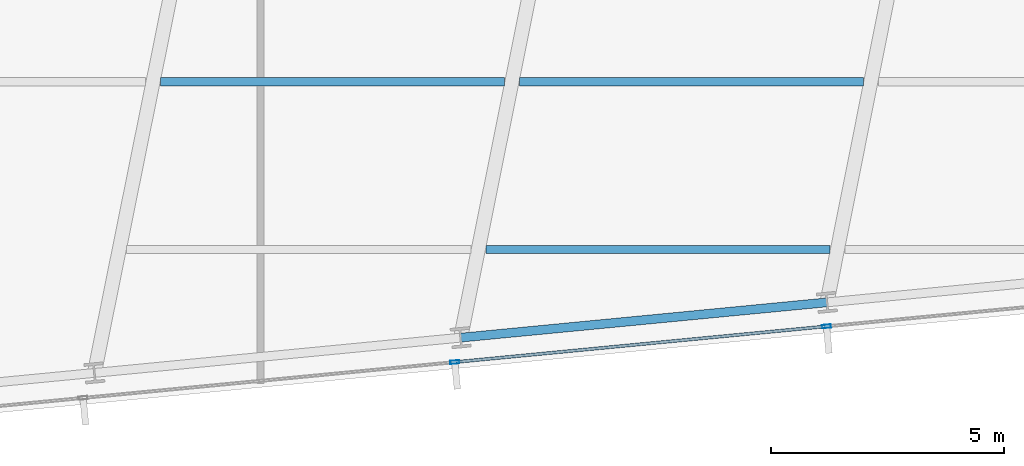
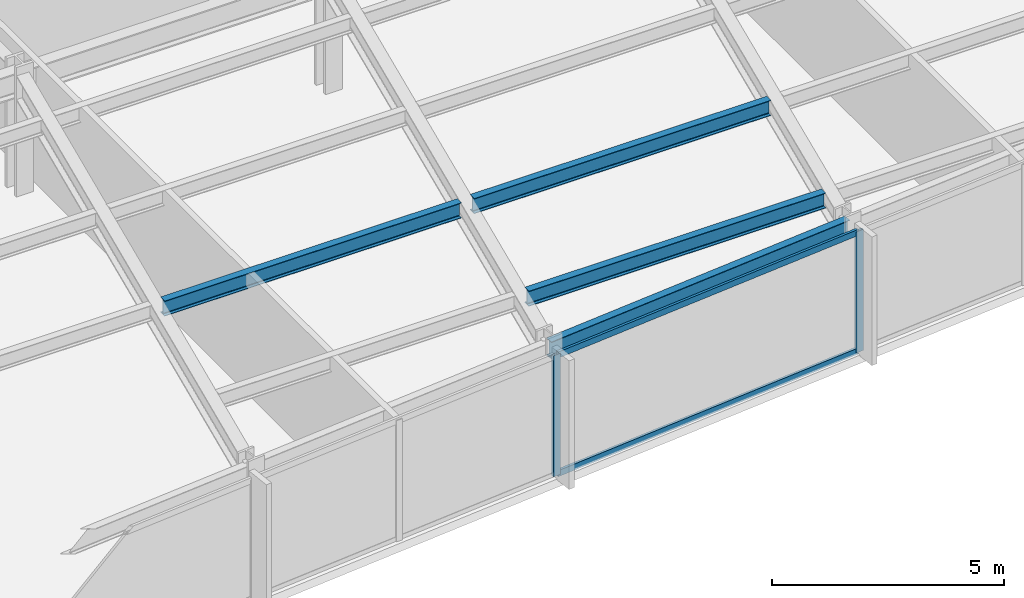
# One storey, part 4 of 32: 4 beams, 4 members, 1 element without a shape of its own.
"""IFC4 building model written with IfcOpenShell, lengths in metres."""

from ifc_helpers import new_model, si_unit, direction, frame, origin, origin_2d, place, context, subcontext, project, spatial, hollow_rectangle, i_section, extrude, material, material_profile, profile_set, type_object, element, aggregate, save


model = new_model("IFC4")

# Units and contexts
model_context = context("Model", 3, precision=1e-05, world=origin(), true_north=direction((0.0, 1.0)))
body_context = subcontext(model_context, "Body", "Model", "MODEL_VIEW")
ifc_project = project(units=[si_unit("LENGTHUNIT", "METRE"), si_unit("AREAUNIT", "SQUARE_METRE"), si_unit("VOLUMEUNIT", "CUBIC_METRE"), si_unit("PLANEANGLEUNIT", "RADIAN"), si_unit("MASSUNIT", "GRAM", prefix="KILO")], contexts=[model_context])

# Site, building, storey
site_placement = place(None, origin())
site = spatial("IfcSite", under=ifc_project, at=site_placement, CompositionType="ELEMENT")
building_placement = place(site_placement, origin())
building = spatial("IfcBuilding", under=site, at=building_placement, Name="Yelkora Congress Tower", CompositionType="ELEMENT")
storey_placement = place(building_placement, frame((0.0, 0.0, 120.300048828125)))
storey = spatial("IfcBuildingStorey", under=building, at=storey_placement, Name="L32", CompositionType="ELEMENT", Elevation=120.300048828125)

# Beams
ifc_material_1 = material(Name="Steel S355J2", Category="steel")
ifc_material_profile_1 = material_profile(ifc_material_1, i_section(OverallWidth=0.179931640625, OverallDepth=0.39990234375, WebThickness=0.008544921875, FlangeThickness=0.013427734375, FilletRadius=0.02099609375, at=origin_2d()), Name="IPE 400")
ifc_profile_set_1 = profile_set([ifc_material_profile_1], Name="Steel S355J2")
beam_type_1 = type_object("IfcBeamType", Name="BM-JOIST-IPE400", PredefinedType="JOIST", material=ifc_profile_set_1)
beam_1_placement = place(storey_placement, frame((36.023193359375, 12.54443359375, 2.97998046875), z_axis=(1.0, 0.0, 0.0), x_axis=(0.0, 1.0, 0.0)))
element("IfcBeam", 1, at=beam_1_placement, inside=storey, type_object=beam_type_1, Name="L32 Composite Floor Joist 2", PredefinedType="JOIST", context=body_context, shape_type="SweptSolid", body=[
    extrude(i_section(OverallWidth=0.179931640625, OverallDepth=0.39990234375, WebThickness=0.008544921875, FlangeThickness=0.013427734375, FilletRadius=0.02099609375, at=origin_2d()), origin(), (0.0, 0.0, 1.0), 7.37646484375),
])
beam_2_placement = place(storey_placement, frame((29.05419921875, 16.144287109375, 2.97998046875), z_axis=(1.0, 0.0, 0.0), x_axis=(0.0, 1.0, 0.0)))
element("IfcBeam", 2, at=beam_2_placement, inside=storey, type_object=beam_type_1, Name="L32 Composite Floor Joist 5", PredefinedType="JOIST", context=body_context, shape_type="SweptSolid", body=[
    extrude(i_section(OverallWidth=0.179931640625, OverallDepth=0.39990234375, WebThickness=0.008544921875, FlangeThickness=0.013427734375, FilletRadius=0.02099609375, at=origin_2d()), origin(), (0.0, 0.0, 1.0), 7.37060546875),
])
beam_3_placement = place(storey_placement, frame((36.744873046875, 16.144287109375, 2.97998046875), z_axis=(1.0, 0.0, 0.0), x_axis=(0.0, 1.0, 0.0)))
element("IfcBeam", 3, at=beam_3_placement, inside=storey, type_object=beam_type_1, Name="L32 Composite Floor Joist 6", PredefinedType="JOIST", context=body_context, shape_type="SweptSolid", body=[
    extrude(i_section(OverallWidth=0.179931640625, OverallDepth=0.39990234375, WebThickness=0.008544921875, FlangeThickness=0.013427734375, FilletRadius=0.02099609375, at=origin_2d()), origin(), (0.0, 0.0, 1.0), 7.371826171875),
])
ifc_material_profile_2 = material_profile(ifc_material_1, i_section(OverallWidth=0.18994140625, OverallDepth=0.449951171875, WebThickness=0.009521484375, FlangeThickness=0.0146484375, FilletRadius=0.02099609375, at=origin_2d()), Name="IPE 450")
ifc_profile_set_2 = profile_set([ifc_material_profile_2], Name="Steel S355J2")
beam_type_2 = type_object("IfcBeamType", Name="BM-SPAN-IPE450", PredefinedType="SPANDREL", material=ifc_profile_set_2)
beam_4_placement = place(storey_placement, frame((35.48486328125, 10.656005859375, 2.954833984375), z_axis=(0.995395575667, 0.095852219286, 0.0), x_axis=(-0.095852219286, 0.995395575667, 0.0)))
element("IfcBeam", 4, at=beam_4_placement, inside=storey, type_object=beam_type_2, Name="L32 Perimeter Beam 5", PredefinedType="SPANDREL", context=body_context, shape_type="SweptSolid", body=[
    extrude(i_section(OverallWidth=0.18994140625, OverallDepth=0.449951171875, WebThickness=0.009521484375, FlangeThickness=0.0146484375, FilletRadius=0.02099609375, at=origin_2d()), origin(), (0.0, 0.0, 1.0), 7.8857421875),
])

# Curtain wall, members
ifc_material_2 = material(Name="Anodised aluminium and insulated glass", Category="aluminium")
curtain_wall_type = type_object("IfcCurtainWallType", Name="CW-SYS-B2", PredefinedType="NOTDEFINED", material=ifc_material_2)
curtain_wall_placement = place(storey_placement, origin())
curtain_wall = element("IfcCurtainWall", 5, at=curtain_wall_placement, inside=storey, type_object=curtain_wall_type, Name="L32 Unitised Curtain Wall 20", PredefinedType="NOTDEFINED")
ifc_material_3 = material(Name="Anodised aluminium 6063-T6", Category="aluminium")
ifc_material_profile_3 = material_profile(ifc_material_3, hollow_rectangle(XDim=0.070068359375, YDim=0.18994140625, WallThickness=0.00390625, at=origin_2d()), Name="ALU 70x190x4")
ifc_profile_set_3 = profile_set([ifc_material_profile_3], Name="Anodised aluminium 6063-T6")
member_type_1 = type_object("IfcMemberType", Name="MEM-ML-B2", PredefinedType="MULLION", material=ifc_profile_set_3)
member_1_placement = place(storey_placement, frame((43.32470703125, 10.898681640625, 0.0), z_axis=(0.0, 0.0, 1.0), x_axis=(0.095844345816, -0.995396333816, 0.0)))
member_1 = element("IfcMember", 6, at=member_1_placement, type_object=member_type_1, Name="CW-B2 mullion 5", PredefinedType="MULLION", context=body_context, shape_type="SweptSolid", body=[
    extrude(hollow_rectangle(XDim=0.070068359375, YDim=0.18994140625, WallThickness=0.00390625, at=origin_2d()), origin(), (0.0, 0.0, 1.0), 3.179931640625),
])
member_2_placement = place(storey_placement, frame((35.358642578125, 10.131591796875, 0.0), z_axis=(0.0, 0.0, 1.0), x_axis=(0.095844345816, -0.995396333816, 0.0)))
member_2 = element("IfcMember", 7, at=member_2_placement, type_object=member_type_1, Name="CW-B2 mullion 6", PredefinedType="MULLION", context=body_context, shape_type="SweptSolid", body=[
    extrude(hollow_rectangle(XDim=0.070068359375, YDim=0.18994140625, WallThickness=0.00390625, at=origin_2d()), origin(), (0.0, 0.0, 1.0), 3.179931640625),
])
ifc_material_profile_4 = material_profile(ifc_material_3, hollow_rectangle(XDim=0.06494140625, YDim=0.159912109375, WallThickness=0.00390625, at=origin_2d()), Name="ALU 65x160x4")
ifc_profile_set_4 = profile_set([ifc_material_profile_4], Name="Anodised aluminium 6063-T6")
member_type_2 = type_object("IfcMemberType", Name="MEM-TR-B2", PredefinedType="USERDEFINED", material=ifc_profile_set_4)
member_3_placement = place(storey_placement, frame((43.289794921875, 10.895263671875, 0.032470703125), z_axis=(-0.995397010735, -0.095837315383, 0.0), x_axis=(0.095837315383, -0.995397010735, 0.0)))
member_3 = element("IfcMember", 8, at=member_3_placement, type_object=member_type_2, Name="CW-B2 transom 5.1", ObjectType="TRANSOM", PredefinedType="USERDEFINED", context=body_context, shape_type="SweptSolid", body=[
    extrude(hollow_rectangle(XDim=0.06494140625, YDim=0.159912109375, WallThickness=0.00390625, at=origin_2d()), origin(), (0.0, 0.0, 1.0), 7.932861328125),
])
member_4_placement = place(storey_placement, frame((43.289794921875, 10.895263671875, 3.1474609375), z_axis=(-0.995397010735, -0.095837315383, 0.0), x_axis=(0.095837315383, -0.995397010735, 0.0)))
member_4 = element("IfcMember", 9, at=member_4_placement, type_object=member_type_2, Name="CW-B2 transom 5.2", ObjectType="TRANSOM", PredefinedType="USERDEFINED", context=body_context, shape_type="SweptSolid", body=[
    extrude(hollow_rectangle(XDim=0.06494140625, YDim=0.159912109375, WallThickness=0.00390625, at=origin_2d()), origin(), (0.0, 0.0, 1.0), 7.932861328125),
])
aggregate(curtain_wall, [member_1, member_2, member_3, member_4])

save(model, "model.ifc")
